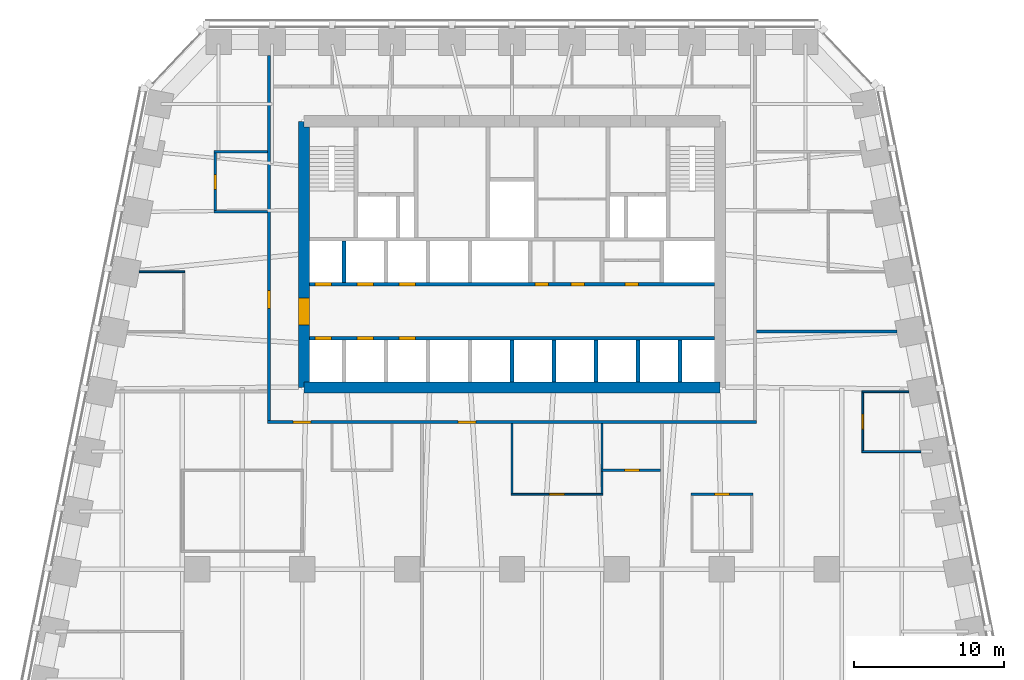
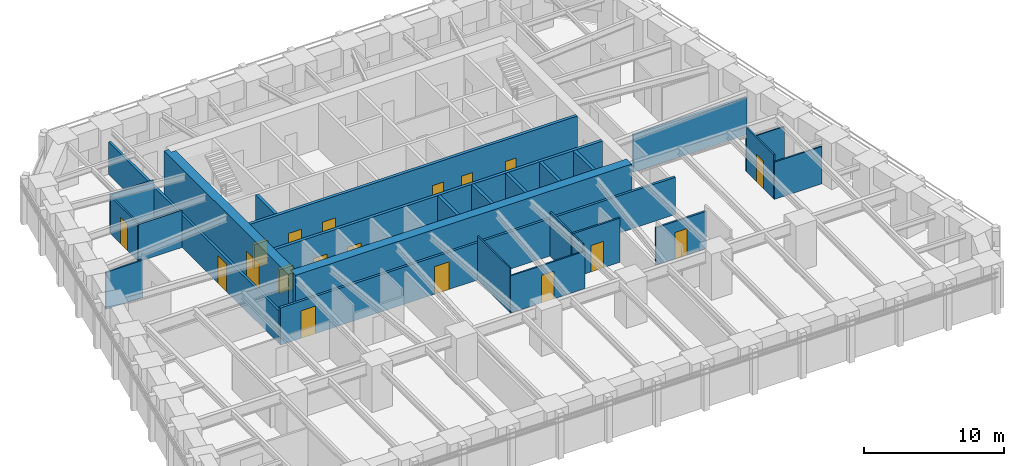
# One storey, part 6 of 10: 26 walls, 18 doors, 18 openings.
"""IFC4 building model written with IfcOpenShell, lengths in metres."""

import ifcopenshell
import ifcopenshell.guid

model = None  # the IFC model being written
_history = None  # IfcOwnerHistory: only IFC2X3 demands one
_inside = {}  # id of a spatial element -> (the spatial element, [elements in it])
_under = {}  # id of a project, library or spatial element -> (it, [spatial elements below it])
_declared = {}  # id of a project -> (the project, [libraries it declares])
_typed = {}  # id of a type object -> (the type object, [elements of that type])
_made_of = {}  # id of a material, layer set ... -> (it, [elements and type objects made of it])


def new_model(schema):
    """Start an empty IFC model of exactly this schema.

    Asked for "IFC4X3", IfcOpenShell would pick the latest addendum, in which some entities
    have other attributes; the version numbers below select the first issue.
    IFC2X3 requires an IfcOwnerHistory on every rooted entity: one is made here for all.
    """
    global model, _history
    if schema == "IFC4X3":
        model = ifcopenshell.file(schema_version=(4, 3, 0, 0))
    else:
        model = ifcopenshell.file(schema=schema)
    _inside.clear()
    _under.clear()
    _declared.clear()
    _typed.clear()
    _made_of.clear()
    _history = None
    if model.schema == "IFC2X3":
        org = make("IfcOrganization", Name="unknown")
        user = make(
            "IfcPersonAndOrganization",
            ThePerson=make("IfcPerson", FamilyName="unknown"),
            TheOrganization=org,
        )
        app = make(
            "IfcApplication",
            ApplicationDeveloper=org,
            Version="unknown",
            ApplicationFullName="unknown",
            ApplicationIdentifier="unknown",
        )
        _history = make(
            "IfcOwnerHistory",
            OwningUser=user,
            OwningApplication=app,
            ChangeAction="ADDED",
            CreationDate=0,
        )
    return model


def make(cls, **values):
    """One entity of the class cls with the attributes given. An attribute that is None is left unset."""
    return model.create_entity(
        cls, **{name: value for name, value in values.items() if value is not None}
    )


def rooted(cls, **values):
    """An entity with a GlobalId (a new one), such as an element, a storey or a relation."""
    return make(cls, GlobalId=ifcopenshell.guid.new(), OwnerHistory=_history, **values)


def si_unit(unit_type, name, prefix=None):
    """IfcSIUnit, for example si_unit("LENGTHUNIT", "METRE", prefix="MILLI")."""
    return make("IfcSIUnit", UnitType=unit_type, Prefix=prefix, Name=name)


def assignment(units):
    """IfcUnitAssignment: the units of a project."""
    return None if units is None else make("IfcUnitAssignment", Units=units)


def point(xyz):
    """IfcCartesianPoint."""
    return None if xyz is None else make("IfcCartesianPoint", Coordinates=xyz)


def direction(xyz):
    """IfcDirection."""
    return None if xyz is None else make("IfcDirection", DirectionRatios=xyz)


def frame(location, z_axis=None, x_axis=None):
    """IfcAxis2Placement3D, a coordinate frame: its origin and axes. An axis left out is left unset."""
    return make(
        "IfcAxis2Placement3D",
        Location=point(location),
        Axis=direction(z_axis),
        RefDirection=direction(x_axis),
    )


def frame_2d(location, x_axis=None):
    """IfcAxis2Placement2D, a coordinate frame in the plane: its origin and x axis."""
    return make(
        "IfcAxis2Placement2D", Location=point(location), RefDirection=direction(x_axis)
    )


def origin():
    """The frame at (0, 0, 0) with its axes left unset."""
    return frame((0.0, 0.0, 0.0))


def place(relative_to, where):
    """IfcLocalPlacement: puts the frame where relative to a parent placement (None: the world)."""
    return make(
        "IfcLocalPlacement", PlacementRelTo=relative_to, RelativePlacement=where
    )


def context(
    kind, dimensions, precision=None, world=None, true_north=None, identifier=None
):
    """IfcGeometricRepresentationContext, for example the 3D "Model" context."""
    return make(
        "IfcGeometricRepresentationContext",
        ContextIdentifier=identifier,
        ContextType=kind,
        CoordinateSpaceDimension=dimensions,
        Precision=precision,
        WorldCoordinateSystem=world,
        TrueNorth=true_north,
    )


def subcontext(parent, identifier, kind, view, scale=None):
    """IfcGeometricRepresentationSubContext, for example "Body" below "Model"."""
    return make(
        "IfcGeometricRepresentationSubContext",
        ContextIdentifier=identifier,
        ContextType=kind,
        ParentContext=parent,
        TargetScale=scale,
        TargetView=view,
    )


def project(units=None, contexts=None):
    """IfcProject with its units and contexts."""
    return rooted(
        "IfcProject",
        Name="project",
        RepresentationContexts=contexts,
        UnitsInContext=assignment(units),
    )


def spatial(cls, under=None, at=None, **own):
    """A site, building, storey or space (cls), placed at a placement, below another one or the project."""
    s = rooted(cls, ObjectPlacement=at, **own)
    if under is not None:
        _under.setdefault(under.id(), (under, []))[1].append(s)
    return s


def polyline(points):
    """IfcPolyline through the points."""
    return make("IfcPolyline", Points=[point(p) for p in points])


def profile(cls, at=None, kind="AREA", **sizes):
    """A parametric profile (cls). Its sizes go by their IFC names, for example OverallWidth=200.0."""
    return make(cls, ProfileType=kind, Position=at, **sizes)


def rectangle(**sizes):
    """IfcRectangleProfileDef."""
    return profile("IfcRectangleProfileDef", **sizes)


def outline(outer, holes=None, kind="AREA"):
    """IfcArbitraryClosedProfileDef: a profile drawn as a closed curve; with holes, ...WithVoids."""
    if holes is None:
        return make("IfcArbitraryClosedProfileDef", ProfileType=kind, OuterCurve=outer)
    return make(
        "IfcArbitraryProfileDefWithVoids",
        ProfileType=kind,
        OuterCurve=outer,
        InnerCurves=holes,
    )


def extrude(swept, where, along, depth):
    """IfcExtrudedAreaSolid: the profile swept, set in the frame where, extruded along a direction by depth."""
    return make(
        "IfcExtrudedAreaSolid",
        SweptArea=swept,
        Position=where,
        ExtrudedDirection=direction(along),
        Depth=depth,
    )


def shape(context_of_items, identifier, shape_type, items):
    """IfcShapeRepresentation: the items that make up one representation, for example the "Body"."""
    return make(
        "IfcShapeRepresentation",
        ContextOfItems=context_of_items,
        RepresentationIdentifier=identifier,
        RepresentationType=shape_type,
        Items=items,
    )


def material(Name=None, Category=None):
    """IfcMaterial."""
    return make("IfcMaterial", Name=Name, Category=Category)


def layer(
    of_material, thickness, ventilated=None, Name=None, Category=None, Priority=None
):
    """IfcMaterialLayer: one layer of a wall or slab, of a material (None: an air gap)."""
    return make(
        "IfcMaterialLayer",
        Material=of_material,
        LayerThickness=thickness,
        IsVentilated=ventilated,
        Name=Name,
        Category=Category,
        Priority=Priority,
    )


def layer_set(layers, Name=None):
    """IfcMaterialLayerSet."""
    return make("IfcMaterialLayerSet", MaterialLayers=layers, LayerSetName=Name)


def made_of(thing, what):
    """Note that an element or type object is made of a material, layer set ...; save() writes the relation."""
    if what is not None:
        _made_of.setdefault(what.id(), (what, []))[1].append(thing)
    return thing


def type_object(cls, material=None, **own):
    """A type object (cls), such as IfcWallType, which elements share."""
    return made_of(rooted(cls, **own), material)


def element(
    cls,
    number,
    at=None,
    inside=None,
    cuts=None,
    type_object=None,
    material=None,
    context=None,
    identifier="Body",
    shape_type=None,
    held_by="IfcProductDefinitionShape",
    body=None,
    shapes=None,
    **own,
):
    """One element of the class cls, such as IfcWall. Its Tag is "e" and its number.

    at: its placement. inside: the storey or other place that contains it. cuts: it is an
    opening in that element (IfcRelVoidsElement). A single representation is given by context,
    identifier, shape_type and body (its items); several are given by shapes. held_by: the class
    of the entity that holds the representations. save() writes the other relations.
    """
    e = rooted(cls, Tag="e%d" % number, ObjectPlacement=at, **own)
    if body is not None:
        shapes = [shape(context, identifier, shape_type, body)]
    if shapes is not None:
        e.Representation = make(held_by, Representations=shapes)
    if inside is not None:
        _inside.setdefault(inside.id(), (inside, []))[1].append(e)
    if cuts is not None:
        rooted(
            "IfcRelVoidsElement", RelatingBuildingElement=cuts, RelatedOpeningElement=e
        )
    if type_object is not None:
        _typed.setdefault(type_object.id(), (type_object, []))[1].append(e)
    return made_of(e, material)


def fill(opening, filler):
    """IfcRelFillsElement: the door or window that sits in an opening."""
    return rooted(
        "IfcRelFillsElement",
        RelatingOpeningElement=opening,
        RelatedBuildingElement=filler,
    )


def aggregate(whole, parts):
    """IfcRelAggregates: a whole, such as a stair, and the parts it consists of."""
    return rooted("IfcRelAggregates", RelatingObject=whole, RelatedObjects=parts)


def save(model, path):
    """Write the relations noted so far, then the file.

    IfcRelAggregates (storeys below a building ...), IfcRelContainedInSpatialStructure (elements
    in a storey), IfcRelDefinesByType, IfcRelAssociatesMaterial and IfcRelDeclares: one each for
    every whole, place, type object, material and project.
    """
    for whole, parts in _under.values():
        aggregate(whole, parts)
    for where, things in _inside.values():
        rooted(
            "IfcRelContainedInSpatialStructure",
            RelatedElements=things,
            RelatingStructure=where,
        )
    for kind, things in _typed.values():
        rooted("IfcRelDefinesByType", RelatedObjects=things, RelatingType=kind)
    for what, things in _made_of.values():
        rooted("IfcRelAssociatesMaterial", RelatedObjects=things, RelatingMaterial=what)
    for by, libraries in _declared.values():
        rooted("IfcRelDeclares", RelatingContext=by, RelatedDefinitions=libraries)
    model.write(path)


model = new_model("IFC4")

# Units and contexts
model_context = context("Model", 3, precision=1e-05, world=origin(), true_north=direction((0.0, 1.0)))
body_context = subcontext(model_context, "Body", "Model", "MODEL_VIEW")
ifc_project = project(units=[si_unit("LENGTHUNIT", "METRE"), si_unit("AREAUNIT", "SQUARE_METRE"), si_unit("VOLUMEUNIT", "CUBIC_METRE"), si_unit("PLANEANGLEUNIT", "RADIAN"), si_unit("MASSUNIT", "GRAM", prefix="KILO")], contexts=[model_context])

# Site, building, storey
site_placement = place(None, origin())
site = spatial("IfcSite", under=ifc_project, at=site_placement, CompositionType="ELEMENT")
building_placement = place(site_placement, origin())
building = spatial("IfcBuilding", under=site, at=building_placement, Name="Isbrekke Arena Tower", CompositionType="ELEMENT")
storey_placement = place(building_placement, frame((0.0, 0.0, 151.0)))
storey = spatial("IfcBuildingStorey", under=building, at=storey_placement, Name="L34", CompositionType="ELEMENT", Elevation=151.0)

# Wall
ifc_material_1 = material(Name="Concrete B55 (C55/67)", Category="concrete")
ifc_layer_1 = layer(ifc_material_1, 0.75)
ifc_layer_set_1 = layer_set([ifc_layer_1], Name="CW3 CORE WALL 750")
wall_type_1 = type_object("IfcWallType", Name="CW3 CORE WALL 750", PredefinedType="SHEAR", material=ifc_layer_set_1)
wall_1_placement = place(storey_placement, frame((-13.875, 6.125, 0.0), z_axis=(0.0, 0.0, 1.0), x_axis=(1.0, 0.0, 0.0)))
element("IfcWall", 1, at=wall_1_placement, inside=storey, type_object=wall_type_1, Name="Core wall S L34", PredefinedType="SHEAR", context=body_context, shape_type="SweptSolid", body=[
    extrude(rectangle(XDim=27.75, YDim=0.75, at=frame_2d((13.875, 0.0))), origin(), (0.0, 0.0, 1.0), 4.0),
])

# Wall, opening, door
wall_2_placement = place(storey_placement, frame((-13.875, 23.875, 0.0), z_axis=(0.0, 0.0, 1.0), x_axis=(0.0, -1.0, 0.0)))
wall_2 = element("IfcWall", 2, at=wall_2_placement, inside=storey, type_object=wall_type_1, Name="Core wall W L34", PredefinedType="SHEAR", context=body_context, shape_type="SweptSolid", body=[
    extrude(outline(polyline([(0.0, -0.375), (17.75, -0.375), (17.75, 0.0), (17.375, 0.0), (17.375, 0.375), (0.375, 0.375), (0.375, 0.0), (0.0, 0.0), (0.0, -0.375)])), origin(), (0.0, 0.0, 1.0), 4.0),
])
opening_1_placement = place(wall_2_placement, frame((11.77490234375, 0.0, 0.0)))
opening_1 = element("IfcOpeningElement", 3, at=opening_1_placement, cuts=wall_2, Name="Opening D1", PredefinedType="OPENING", context=body_context, shape_type="SweptSolid", body=[
    extrude(rectangle(XDim=1.800048828125, YDim=2.39990234375, at=frame_2d((0.89990234375, 1.199951171875))), frame((0.0, 0.389892578125, 0.0), z_axis=(0.0, -1.0, 0.0), x_axis=(1.0, 0.0, 0.0)), (0.0, 0.0, 1.0), 0.77978515625),
])
ifc_material_2 = material(Name="Steel-framed glazed fire door", Category="steel")
door_type_1 = type_object("IfcDoorType", Name="D1 CORE LOBBY DOOR 1800 x 2400", OperationType="DOUBLE_DOOR_SINGLE_SWING", PredefinedType="DOOR", material=ifc_material_2)
door_1_placement = place(opening_1_placement, origin())
door_1 = element("IfcDoor", 4, at=door_1_placement, inside=storey, type_object=door_type_1, Name="D1 lift lobby door west L34", OperationType="DOUBLE_DOOR_SINGLE_SWING", OverallHeight=2.39990234375, OverallWidth=1.800048828125, PredefinedType="DOOR", context=body_context, shape_type="SweptSolid", body=[
    extrude(rectangle(XDim=1.800048828125, YDim=2.39990234375, at=frame_2d((0.89990234375, 1.199951171875))), frame((0.0, 0.374755859375, 0.0), z_axis=(0.0, -1.0, 0.0), x_axis=(1.0, 0.0, 0.0)), (0.0, 0.0, 1.0), 0.74951171875),
])
fill(opening_1, door_1)

# Wall, openings, doors
ifc_material_3 = material(Name="Concrete B45 (C45/55)", Category="concrete")
ifc_layer_2 = layer(ifc_material_3, 0.25)
ifc_layer_set_2 = layer_set([ifc_layer_2], Name="CW6 SHAFT WALL 250")
wall_type_2 = type_object("IfcWallType", Name="CW6 SHAFT WALL 250", PredefinedType="SHEAR", material=ifc_layer_set_2)
wall_3_placement = place(storey_placement, frame((-13.5, 9.39990234375, 0.0), z_axis=(0.0, 0.0, 1.0), x_axis=(1.0, 0.0, 0.0)))
wall_3 = element("IfcWall", 5, at=wall_3_placement, inside=storey, type_object=wall_type_2, Name="Core wall LS L34", PredefinedType="SHEAR", context=body_context, shape_type="SweptSolid", body=[
    extrude(rectangle(XDim=27.0, YDim=0.25, at=frame_2d((13.5, 0.0))), origin(), (0.0, 0.0, 1.0), 4.0),
])
opening_2_placement = place(wall_3_placement, frame((0.35009765625, 0.0, 0.0)))
opening_2 = element("IfcOpeningElement", 6, at=opening_2_placement, cuts=wall_3, Name="Opening LD1", PredefinedType="OPENING", context=body_context, shape_type="SweptSolid", body=[
    extrude(rectangle(XDim=1.10009765625, YDim=2.10009765625, at=frame_2d((0.550048828125, 1.050048828125))), frame((0.0, 0.139892578125, 0.0), z_axis=(0.0, -1.0, 0.0), x_axis=(1.0, 0.0, 0.0)), (0.0, 0.0, 1.0), 0.27978515625),
])
opening_3_placement = place(wall_3_placement, frame((3.14990234375, 0.0, 0.0)))
opening_3 = element("IfcOpeningElement", 7, at=opening_3_placement, cuts=wall_3, Name="Opening LD1", PredefinedType="OPENING", context=body_context, shape_type="SweptSolid", body=[
    extrude(rectangle(XDim=1.10009765625, YDim=2.10009765625, at=frame_2d((0.550048828125, 1.050048828125))), frame((0.0, 0.139892578125, 0.0), z_axis=(0.0, -1.0, 0.0), x_axis=(1.0, 0.0, 0.0)), (0.0, 0.0, 1.0), 0.27978515625),
])
opening_4_placement = place(wall_3_placement, frame((5.949951171875, 0.0, 0.0)))
opening_4 = element("IfcOpeningElement", 8, at=opening_4_placement, cuts=wall_3, Name="Opening LD1", PredefinedType="OPENING", context=body_context, shape_type="SweptSolid", body=[
    extrude(rectangle(XDim=1.10009765625, YDim=2.10009765625, at=frame_2d((0.550048828125, 1.050048828125))), frame((0.0, 0.139892578125, 0.0), z_axis=(0.0, -1.0, 0.0), x_axis=(1.0, 0.0, 0.0)), (0.0, 0.0, 1.0), 0.27978515625),
])
ifc_material_4 = material(Name="Stainless steel lift landing door", Category="steel")
door_type_2 = type_object("IfcDoorType", Name="LD1 LIFT LANDING DOOR 1100 x 2100", OperationType="SLIDING_TO_LEFT", PredefinedType="DOOR", material=ifc_material_4)
door_2_placement = place(opening_2_placement, origin())
door_2 = element("IfcDoor", 9, at=door_2_placement, inside=storey, type_object=door_type_2, Name="LD1 lift landing door LB L34", OperationType="SLIDING_TO_LEFT", OverallHeight=2.10009765625, OverallWidth=1.10009765625, PredefinedType="DOOR", context=body_context, shape_type="SweptSolid", body=[
    extrude(rectangle(XDim=1.10009765625, YDim=2.10009765625, at=frame_2d((0.550048828125, 1.050048828125))), frame((0.0, 0.124755859375, 0.0), z_axis=(0.0, -1.0, 0.0), x_axis=(1.0, 0.0, 0.0)), (0.0, 0.0, 1.0), 0.24951171875),
])
fill(opening_2, door_2)
door_3_placement = place(opening_3_placement, origin())
door_3 = element("IfcDoor", 10, at=door_3_placement, inside=storey, type_object=door_type_2, Name="LD1 lift landing door LB L34", OperationType="SLIDING_TO_LEFT", OverallHeight=2.10009765625, OverallWidth=1.10009765625, PredefinedType="DOOR", context=body_context, shape_type="SweptSolid", body=[
    extrude(rectangle(XDim=1.10009765625, YDim=2.10009765625, at=frame_2d((0.550048828125, 1.050048828125))), frame((0.0, 0.124755859375, 0.0), z_axis=(0.0, -1.0, 0.0), x_axis=(1.0, 0.0, 0.0)), (0.0, 0.0, 1.0), 0.24951171875),
])
fill(opening_3, door_3)
door_4_placement = place(opening_4_placement, origin())
door_4 = element("IfcDoor", 11, at=door_4_placement, inside=storey, type_object=door_type_2, Name="LD1 lift landing door LB L34", OperationType="SLIDING_TO_LEFT", OverallHeight=2.10009765625, OverallWidth=1.10009765625, PredefinedType="DOOR", context=body_context, shape_type="SweptSolid", body=[
    extrude(rectangle(XDim=1.10009765625, YDim=2.10009765625, at=frame_2d((0.550048828125, 1.050048828125))), frame((0.0, 0.124755859375, 0.0), z_axis=(0.0, -1.0, 0.0), x_axis=(1.0, 0.0, 0.0)), (0.0, 0.0, 1.0), 0.24951171875),
])
fill(opening_4, door_4)

wall_4_placement = place(storey_placement, frame((-13.5, 13.0, 0.0), z_axis=(0.0, 0.0, 1.0), x_axis=(1.0, 0.0, 0.0)))
wall_4 = element("IfcWall", 12, at=wall_4_placement, inside=storey, type_object=wall_type_2, Name="Core wall LN L34", PredefinedType="SHEAR", context=body_context, shape_type="SweptSolid", body=[
    extrude(rectangle(XDim=27.0, YDim=0.25, at=frame_2d((13.5, 0.0))), origin(), (0.0, 0.0, 1.0), 4.0),
])
opening_5_placement = place(wall_4_placement, frame((0.35009765625, 0.0, 0.0)))
opening_5 = element("IfcOpeningElement", 13, at=opening_5_placement, cuts=wall_4, Name="Opening LD1", PredefinedType="OPENING", context=body_context, shape_type="SweptSolid", body=[
    extrude(rectangle(XDim=1.10009765625, YDim=2.10009765625, at=frame_2d((0.550048828125, 1.050048828125))), frame((0.0, 0.139892578125, 0.0), z_axis=(0.0, -1.0, 0.0), x_axis=(1.0, 0.0, 0.0)), (0.0, 0.0, 1.0), 0.27978515625),
])
opening_6_placement = place(wall_4_placement, frame((3.14990234375, 0.0, 0.0)))
opening_6 = element("IfcOpeningElement", 14, at=opening_6_placement, cuts=wall_4, Name="Opening LD1", PredefinedType="OPENING", context=body_context, shape_type="SweptSolid", body=[
    extrude(rectangle(XDim=1.10009765625, YDim=2.10009765625, at=frame_2d((0.550048828125, 1.050048828125))), frame((0.0, 0.139892578125, 0.0), z_axis=(0.0, -1.0, 0.0), x_axis=(1.0, 0.0, 0.0)), (0.0, 0.0, 1.0), 0.27978515625),
])
opening_7_placement = place(wall_4_placement, frame((5.949951171875, 0.0, 0.0)))
opening_7 = element("IfcOpeningElement", 15, at=opening_7_placement, cuts=wall_4, Name="Opening LD1", PredefinedType="OPENING", context=body_context, shape_type="SweptSolid", body=[
    extrude(rectangle(XDim=1.10009765625, YDim=2.10009765625, at=frame_2d((0.550048828125, 1.050048828125))), frame((0.0, 0.139892578125, 0.0), z_axis=(0.0, -1.0, 0.0), x_axis=(1.0, 0.0, 0.0)), (0.0, 0.0, 1.0), 0.27978515625),
])
opening_8_placement = place(wall_4_placement, frame((15.050048828125, 0.0, 0.0)))
opening_8 = element("IfcOpeningElement", 16, at=opening_8_placement, cuts=wall_4, Name="Opening D5", PredefinedType="OPENING", context=body_context, shape_type="SweptSolid", body=[
    extrude(rectangle(XDim=0.89990234375, YDim=2.10009765625, at=frame_2d((0.449951171875, 1.050048828125))), frame((0.0, 0.139892578125, 0.0), z_axis=(0.0, -1.0, 0.0), x_axis=(1.0, 0.0, 0.0)), (0.0, 0.0, 1.0), 0.27978515625),
])
opening_9_placement = place(wall_4_placement, frame((17.449951171875, 0.0, 0.0)))
opening_9 = element("IfcOpeningElement", 17, at=opening_9_placement, cuts=wall_4, Name="Opening D5", PredefinedType="OPENING", context=body_context, shape_type="SweptSolid", body=[
    extrude(rectangle(XDim=0.89990234375, YDim=2.10009765625, at=frame_2d((0.449951171875, 1.050048828125))), frame((0.0, 0.139892578125, 0.0), z_axis=(0.0, -1.0, 0.0), x_axis=(1.0, 0.0, 0.0)), (0.0, 0.0, 1.0), 0.27978515625),
])
opening_10_placement = place(wall_4_placement, frame((21.050048828125, 0.0, 0.0)))
opening_10 = element("IfcOpeningElement", 18, at=opening_10_placement, cuts=wall_4, Name="Opening D5", PredefinedType="OPENING", context=body_context, shape_type="SweptSolid", body=[
    extrude(rectangle(XDim=0.89990234375, YDim=2.10009765625, at=frame_2d((0.449951171875, 1.050048828125))), frame((0.0, 0.139892578125, 0.0), z_axis=(0.0, -1.0, 0.0), x_axis=(1.0, 0.0, 0.0)), (0.0, 0.0, 1.0), 0.27978515625),
])
ifc_material_5 = material(Name="Steel fire door", Category="steel")
door_type_3 = type_object("IfcDoorType", Name="D5 SERVICE DOOR 900 x 2100", OperationType="SINGLE_SWING_LEFT", PredefinedType="DOOR", material=ifc_material_5)
door_5_placement = place(opening_8_placement, origin())
door_5 = element("IfcDoor", 19, at=door_5_placement, inside=storey, type_object=door_type_3, Name="D5 cleaner's store door L34", OperationType="SINGLE_SWING_LEFT", OverallHeight=2.10009765625, OverallWidth=0.89990234375, PredefinedType="DOOR", context=body_context, shape_type="SweptSolid", body=[
    extrude(rectangle(XDim=0.89990234375, YDim=2.10009765625, at=frame_2d((0.449951171875, 1.050048828125))), frame((0.0, 0.124755859375, 0.0), z_axis=(0.0, -1.0, 0.0), x_axis=(1.0, 0.0, 0.0)), (0.0, 0.0, 1.0), 0.24951171875),
])
fill(opening_8, door_5)
door_6_placement = place(opening_9_placement, origin())
door_6 = element("IfcDoor", 20, at=door_6_placement, inside=storey, type_object=door_type_3, Name="D5 mothers' room door L34", OperationType="SINGLE_SWING_LEFT", OverallHeight=2.10009765625, OverallWidth=0.89990234375, PredefinedType="DOOR", context=body_context, shape_type="SweptSolid", body=[
    extrude(rectangle(XDim=0.89990234375, YDim=2.10009765625, at=frame_2d((0.449951171875, 1.050048828125))), frame((0.0, 0.124755859375, 0.0), z_axis=(0.0, -1.0, 0.0), x_axis=(1.0, 0.0, 0.0)), (0.0, 0.0, 1.0), 0.24951171875),
])
fill(opening_9, door_6)
door_7_placement = place(opening_10_placement, origin())
door_7 = element("IfcDoor", 21, at=door_7_placement, inside=storey, type_object=door_type_3, Name="D5 communications room door L34", OperationType="SINGLE_SWING_LEFT", OverallHeight=2.10009765625, OverallWidth=0.89990234375, PredefinedType="DOOR", context=body_context, shape_type="SweptSolid", body=[
    extrude(rectangle(XDim=0.89990234375, YDim=2.10009765625, at=frame_2d((0.449951171875, 1.050048828125))), frame((0.0, 0.124755859375, 0.0), z_axis=(0.0, -1.0, 0.0), x_axis=(1.0, 0.0, 0.0)), (0.0, 0.0, 1.0), 0.24951171875),
])
fill(opening_10, door_7)
door_8_placement = place(opening_5_placement, origin())
door_8 = element("IfcDoor", 22, at=door_8_placement, inside=storey, type_object=door_type_2, Name="LD1 lift landing door LB L34", OperationType="SLIDING_TO_LEFT", OverallHeight=2.10009765625, OverallWidth=1.10009765625, PredefinedType="DOOR", context=body_context, shape_type="SweptSolid", body=[
    extrude(rectangle(XDim=1.10009765625, YDim=2.10009765625, at=frame_2d((0.550048828125, 1.050048828125))), frame((0.0, 0.124755859375, 0.0), z_axis=(0.0, -1.0, 0.0), x_axis=(1.0, 0.0, 0.0)), (0.0, 0.0, 1.0), 0.24951171875),
])
fill(opening_5, door_8)
door_9_placement = place(opening_6_placement, origin())
door_9 = element("IfcDoor", 23, at=door_9_placement, inside=storey, type_object=door_type_2, Name="LD1 lift landing door LB L34", OperationType="SLIDING_TO_LEFT", OverallHeight=2.10009765625, OverallWidth=1.10009765625, PredefinedType="DOOR", context=body_context, shape_type="SweptSolid", body=[
    extrude(rectangle(XDim=1.10009765625, YDim=2.10009765625, at=frame_2d((0.550048828125, 1.050048828125))), frame((0.0, 0.124755859375, 0.0), z_axis=(0.0, -1.0, 0.0), x_axis=(1.0, 0.0, 0.0)), (0.0, 0.0, 1.0), 0.24951171875),
])
fill(opening_6, door_9)
door_10_placement = place(opening_7_placement, origin())
door_10 = element("IfcDoor", 24, at=door_10_placement, inside=storey, type_object=door_type_2, Name="LD1 lift landing door LB L34", OperationType="SLIDING_TO_LEFT", OverallHeight=2.10009765625, OverallWidth=1.10009765625, PredefinedType="DOOR", context=body_context, shape_type="SweptSolid", body=[
    extrude(rectangle(XDim=1.10009765625, YDim=2.10009765625, at=frame_2d((0.550048828125, 1.050048828125))), frame((0.0, 0.124755859375, 0.0), z_axis=(0.0, -1.0, 0.0), x_axis=(1.0, 0.0, 0.0)), (0.0, 0.0, 1.0), 0.24951171875),
])
fill(opening_7, door_10)

# Walls
for number, where, z_axis, x_axis, name in (
    (25, (0.0, 6.5, 0.0), (0.0, 0.0, 1.0), (0.0, 1.0, 0.0), "Core wall SS05 L34"),
    (26, (2.800048828125, 6.5, 0.0), (0.0, 0.0, 1.0), (0.0, 1.0, 0.0), "Core wall SS06 L34"),
    (27, (5.60009765625, 6.5, 0.0), (0.0, 0.0, 1.0), (0.0, 1.0, 0.0), "Core wall SS07 L34"),
    (28, (8.39990234375, 6.5, 0.0), (0.0, 0.0, 1.0), (0.0, 1.0, 0.0), "Core wall SS08 L34"),
    (29, (11.199951171875, 6.5, 0.0), (0.0, 0.0, 1.0), (0.0, 1.0, 0.0), "Core wall SS09 L34"),
):
    element("IfcWall", number, at=place(storey_placement, frame(where, z_axis=z_axis, x_axis=x_axis)), inside=storey, type_object=wall_type_2, Name=name, PredefinedType="SHEAR", context=body_context, shape_type="SweptSolid", body=[
        extrude(rectangle(XDim=2.77490234375, YDim=0.25, at=frame_2d((1.387451171875, 0.0))), origin(), (0.0, 0.0, 1.0), 4.0),
    ])
wall_5_placement = place(storey_placement, frame((-11.199951171875, 13.125, 0.0), z_axis=(0.0, 0.0, 1.0), x_axis=(0.0, 1.0, 0.0)))
element("IfcWall", 30, at=wall_5_placement, inside=storey, type_object=wall_type_2, Name="Core wall SN01 L34", PredefinedType="SHEAR", context=body_context, shape_type="SweptSolid", body=[
    extrude(rectangle(XDim=2.75, YDim=0.25, at=frame_2d((1.375, 0.0))), origin(), (0.0, 0.0, 1.0), 4.0),
])

# Wall, opening, door
ifc_material_6 = material(Name="Gypsum board partition on steel studs", Category="steel")
ifc_layer_3 = layer(ifc_material_6, 0.14990234375)
ifc_layer_set_3 = layer_set([ifc_layer_3], Name="IW1 PARTITION 150")
wall_type_3 = type_object("IfcWallType", Name="IW1 PARTITION 150", PredefinedType="PARTITIONING", material=ifc_layer_set_3)
wall_6_placement = place(storey_placement, frame((11.925048828125, -1.0, 0.0), z_axis=(0.0, 0.0, 1.0), x_axis=(1.0, 0.0, 0.0)))
wall_6 = element("IfcWall", 31, at=wall_6_placement, inside=storey, type_object=wall_type_3, Name="IW1 partition 150 L34", PredefinedType="PARTITIONING", context=body_context, shape_type="SweptSolid", body=[
    extrude(rectangle(XDim=4.14990234375, YDim=0.14990234375, at=frame_2d((2.074951171875, 0.0))), origin(), (0.0, 0.0, 1.0), 3.25),
])
opening_11_placement = place(wall_6_placement, frame((1.574951171875, 0.0, 0.0)))
opening_11 = element("IfcOpeningElement", 32, at=opening_11_placement, cuts=wall_6, Name="Opening D10", PredefinedType="OPENING", context=body_context, shape_type="SweptSolid", body=[
    extrude(rectangle(XDim=1.0, YDim=2.300048828125, at=frame_2d((0.5, 1.14990234375))), frame((0.0, 0.08984375, 0.0), z_axis=(0.0, -1.0, 0.0), x_axis=(1.0, 0.0, 0.0)), (0.0, 0.0, 1.0), 0.1796875),
])
ifc_material_7 = material(Name="Timber door", Category="wood")
door_type_4 = type_object("IfcDoorType", Name="D10 OFFICE DOOR 1000 x 2300", OperationType="SINGLE_SWING_LEFT", PredefinedType="DOOR", material=ifc_material_7)
door_11_placement = place(opening_11_placement, origin())
door_11 = element("IfcDoor", 33, at=door_11_placement, inside=storey, type_object=door_type_4, Name="D10 tea point door L34", OperationType="SINGLE_SWING_LEFT", OverallHeight=2.300048828125, OverallWidth=1.0, PredefinedType="DOOR", context=body_context, shape_type="SweptSolid", body=[
    extrude(rectangle(XDim=1.0, YDim=2.300048828125, at=frame_2d((0.5, 1.14990234375))), frame((0.0, 0.07470703125, 0.0), z_axis=(0.0, -1.0, 0.0), x_axis=(1.0, 0.0, 0.0)), (0.0, 0.0, 1.0), 0.1494140625),
])
fill(opening_11, door_11)

wall_7_placement = place(storey_placement, frame((5.925048828125, 0.60009765625, 0.0), z_axis=(0.0, 0.0, 1.0), x_axis=(1.0, 0.0, 0.0)))
wall_7 = element("IfcWall", 34, at=wall_7_placement, inside=storey, type_object=wall_type_3, Name="IW1 partition 150 L34", PredefinedType="PARTITIONING", context=body_context, shape_type="SweptSolid", body=[
    extrude(rectangle(XDim=3.974853515625, YDim=0.14990234375, at=frame_2d((1.9873046875, 0.0))), origin(), (0.0, 0.0, 1.0), 3.85009765625),
])
opening_12_placement = place(wall_7_placement, frame((1.574951171875, 0.0, 0.0)))
opening_12 = element("IfcOpeningElement", 35, at=opening_12_placement, cuts=wall_7, Name="Opening D10", PredefinedType="OPENING", context=body_context, shape_type="SweptSolid", body=[
    extrude(rectangle(XDim=1.0, YDim=2.300048828125, at=frame_2d((0.5, 1.14990234375))), frame((0.0, 0.08984375, 0.0), z_axis=(0.0, -1.0, 0.0), x_axis=(1.0, 0.0, 0.0)), (0.0, 0.0, 1.0), 0.1796875),
])
door_12_placement = place(opening_12_placement, origin())
door_12 = element("IfcDoor", 36, at=door_12_placement, inside=storey, type_object=door_type_4, Name="D10 tea point door L34", OperationType="SINGLE_SWING_LEFT", OverallHeight=2.300048828125, OverallWidth=1.0, PredefinedType="DOOR", context=body_context, shape_type="SweptSolid", body=[
    extrude(rectangle(XDim=1.0, YDim=2.300048828125, at=frame_2d((0.5, 1.14990234375))), frame((0.0, 0.07470703125, 0.0), z_axis=(0.0, -1.0, 0.0), x_axis=(1.0, 0.0, 0.0)), (0.0, 0.0, 1.0), 0.1494140625),
])
fill(opening_12, door_12)

# Walls
wall_8_placement = place(storey_placement, frame((-19.875, 17.840087890625, 0.0), z_axis=(0.0, 0.0, 1.0), x_axis=(1.0, 0.0, 0.0)))
element("IfcWall", 37, at=wall_8_placement, inside=storey, type_object=wall_type_3, Name="IW1 partition 150 L34", PredefinedType="PARTITIONING", context=body_context, shape_type="SweptSolid", body=[
    extrude(rectangle(XDim=3.574951171875, YDim=0.14990234375, at=frame_2d((1.78759765625, 0.0))), origin(), (0.0, 0.0, 1.0), 3.25),
])
wall_9_placement = place(storey_placement, frame((-19.875, 21.840087890625, 0.0), z_axis=(0.0, 0.0, 1.0), x_axis=(1.0, 0.0, 0.0)))
element("IfcWall", 38, at=wall_9_placement, inside=storey, type_object=wall_type_3, Name="IW1 partition 150 L34", PredefinedType="PARTITIONING", context=body_context, shape_type="SweptSolid", body=[
    extrude(rectangle(XDim=3.574951171875, YDim=0.14990234375, at=frame_2d((1.78759765625, 0.0))), origin(), (0.0, 0.0, 1.0), 3.39990234375),
])

# Wall, opening, door
wall_10_placement = place(storey_placement, frame((-19.800048828125, 17.9150390625, 0.0), z_axis=(0.0, 0.0, 1.0), x_axis=(0.0, 1.0, 0.0)))
wall_10 = element("IfcWall", 39, at=wall_10_placement, inside=storey, type_object=wall_type_3, Name="IW1 partition 150 L34", PredefinedType="PARTITIONING", context=body_context, shape_type="SweptSolid", body=[
    extrude(rectangle(XDim=3.849853515625, YDim=0.14990234375, at=frame_2d((1.9248046875, 0.0))), origin(), (0.0, 0.0, 1.0), 3.25),
])
opening_13_placement = place(wall_10_placement, frame((1.425048828125, 0.0, 0.0)))
opening_13 = element("IfcOpeningElement", 40, at=opening_13_placement, cuts=wall_10, Name="Opening D10", PredefinedType="OPENING", context=body_context, shape_type="SweptSolid", body=[
    extrude(rectangle(XDim=1.0, YDim=2.300048828125, at=frame_2d((0.5, 1.14990234375))), frame((0.0, 0.08984375, 0.0), z_axis=(0.0, -1.0, 0.0), x_axis=(1.0, 0.0, 0.0)), (0.0, 0.0, 1.0), 0.1796875),
])
door_13_placement = place(opening_13_placement, origin())
door_13 = element("IfcDoor", 41, at=door_13_placement, inside=storey, type_object=door_type_4, Name="D10 tea point door L34", OperationType="SINGLE_SWING_LEFT", OverallHeight=2.300048828125, OverallWidth=1.0, PredefinedType="DOOR", context=body_context, shape_type="SweptSolid", body=[
    extrude(rectangle(XDim=1.0, YDim=2.300048828125, at=frame_2d((0.5, 1.14990234375))), frame((0.0, 0.07470703125, 0.0), z_axis=(0.0, -1.0, 0.0), x_axis=(1.0, 0.0, 0.0)), (0.0, 0.0, 1.0), 0.1494140625),
])
fill(opening_13, door_13)

# Wall
wall_11_placement = place(storey_placement, frame((6.0, 0.675048828125, 0.0), z_axis=(0.0, 0.0, 1.0), x_axis=(0.0, 1.0, 0.0)))
element("IfcWall", 42, at=wall_11_placement, inside=storey, type_object=wall_type_3, Name="IW1 partition 150 L34", PredefinedType="PARTITIONING", context=body_context, shape_type="SweptSolid", body=[
    extrude(rectangle(XDim=3.02490234375, YDim=0.14990234375, at=frame_2d((1.512451171875, 0.0))), origin(), (0.0, 0.0, 1.0), 3.85009765625),
])

# Wall, opening, door
ifc_material_8 = material(Name="Frameless glazed partition, laminated acoustic glass", Category="glass")
ifc_layer_4 = layer(ifc_material_8, 0.1201171875)
ifc_layer_set_4 = layer_set([ifc_layer_4], Name="IW2 GLAZED PARTITION 120")
wall_type_4 = type_object("IfcWallType", Name="IW2 GLAZED PARTITION 120", PredefinedType="PARTITIONING", material=ifc_layer_set_4)
wall_12_placement = place(storey_placement, frame((-0.06005859375, -1.0, 0.0), z_axis=(0.0, 0.0, 1.0), x_axis=(1.0, 0.0, 0.0)))
wall_12 = element("IfcWall", 43, at=wall_12_placement, inside=storey, type_object=wall_type_4, Name="IW2 glazed partition 120 L34", PredefinedType="PARTITIONING", context=body_context, shape_type="SweptSolid", body=[
    extrude(rectangle(XDim=6.1201171875, YDim=0.1201171875, at=frame_2d((3.06005859375, 0.0))), origin(), (0.0, 0.0, 1.0), 3.25),
])
opening_14_placement = place(wall_12_placement, frame((2.56005859375, 0.0, 0.0)))
opening_14 = element("IfcOpeningElement", 44, at=opening_14_placement, cuts=wall_12, Name="Opening D11", PredefinedType="OPENING", context=body_context, shape_type="SweptSolid", body=[
    extrude(rectangle(XDim=1.0, YDim=2.39990234375, at=frame_2d((0.5, 1.199951171875))), frame((0.0, 0.074951171875, 0.0), z_axis=(0.0, -1.0, 0.0), x_axis=(1.0, 0.0, 0.0)), (0.0, 0.0, 1.0), 0.14990234375),
])
ifc_material_9 = material(Name="Frameless glazed door", Category="glass")
door_type_5 = type_object("IfcDoorType", Name="D11 GLAZED MEETING ROOM DOOR 1000 x 2400", OperationType="SINGLE_SWING_RIGHT", PredefinedType="DOOR", material=ifc_material_9)
door_14_placement = place(opening_14_placement, origin())
door_14 = element("IfcDoor", 45, at=door_14_placement, inside=storey, type_object=door_type_5, Name="D11 meeting room door L34", OperationType="SINGLE_SWING_RIGHT", OverallHeight=2.39990234375, OverallWidth=1.0, PredefinedType="DOOR", context=body_context, shape_type="SweptSolid", body=[
    extrude(rectangle(XDim=1.0, YDim=2.39990234375, at=frame_2d((0.5, 1.199951171875))), frame((0.0, 0.059814453125, 0.0), z_axis=(0.0, -1.0, 0.0), x_axis=(1.0, 0.0, 0.0)), (0.0, 0.0, 1.0), 0.11962890625),
])
fill(opening_14, door_14)

# Walls
wall_13_placement = place(storey_placement, frame((23.340087890625, 1.840087890625, 0.0), z_axis=(0.0, 0.0, 1.0), x_axis=(1.0, 0.0, 0.0)))
element("IfcWall", 46, at=wall_13_placement, inside=storey, type_object=wall_type_4, Name="IW2 glazed partition 120 L34", PredefinedType="PARTITIONING", context=body_context, shape_type="SweptSolid", body=[
    extrude(rectangle(XDim=3.9326171875, YDim=0.1201171875, at=frame_2d((1.96630859375, 0.0))), origin(), (0.0, 0.0, 1.0), 3.25),
])
wall_14_placement = place(storey_placement, frame((23.340087890625, 5.840087890625, 0.0), z_axis=(0.0, 0.0, 1.0), x_axis=(1.0, 0.0, 0.0)))
element("IfcWall", 47, at=wall_14_placement, inside=storey, type_object=wall_type_4, Name="IW2 glazed partition 120 L34", PredefinedType="PARTITIONING", context=body_context, shape_type="SweptSolid", body=[
    extrude(rectangle(XDim=3.1328125, YDim=0.1201171875, at=frame_2d((1.56640625, 0.0))), origin(), (0.0, 0.0, 1.0), 2.842041015625),
])
wall_15_placement = place(storey_placement, frame((-24.872802734375, 13.840087890625, 0.0), z_axis=(0.0, 0.0, 1.0), x_axis=(1.0, 0.0, 0.0)))
element("IfcWall", 48, at=wall_15_placement, inside=storey, type_object=wall_type_4, Name="IW2 glazed partition 120 L34", PredefinedType="PARTITIONING", context=body_context, shape_type="SweptSolid", body=[
    extrude(rectangle(XDim=3.03271484375, YDim=0.1201171875, at=frame_2d((1.516357421875, 0.0))), origin(), (0.0, 0.0, 1.0), 3.25),
])
wall_16_placement = place(storey_placement, frame((0.0, -0.93994140625, 0.0), z_axis=(0.0, 0.0, 1.0), x_axis=(0.0, 1.0, 0.0)))
element("IfcWall", 49, at=wall_16_placement, inside=storey, type_object=wall_type_4, Name="IW2 glazed partition 120 L34", PredefinedType="PARTITIONING", context=body_context, shape_type="SweptSolid", body=[
    extrude(rectangle(XDim=4.639892578125, YDim=0.1201171875, at=frame_2d((2.31982421875, 0.0))), origin(), (0.0, 0.0, 1.0), 3.85009765625),
])
wall_17_placement = place(storey_placement, frame((6.0, -0.93994140625, 0.0), z_axis=(0.0, 0.0, 1.0), x_axis=(0.0, 1.0, 0.0)))
element("IfcWall", 50, at=wall_17_placement, inside=storey, type_object=wall_type_4, Name="IW2 glazed partition 120 L34", PredefinedType="PARTITIONING", context=body_context, shape_type="SweptSolid", body=[
    extrude(rectangle(XDim=1.46484375, YDim=0.1201171875, at=frame_2d((0.732421875, 0.0))), origin(), (0.0, 0.0, 1.0), 3.85009765625),
])

# Wall, opening, door
wall_18_placement = place(storey_placement, frame((23.39990234375, 1.89990234375, 0.0), z_axis=(0.0, 0.0, 1.0), x_axis=(0.0, 1.0, 0.0)))
wall_18 = element("IfcWall", 51, at=wall_18_placement, inside=storey, type_object=wall_type_4, Name="IW2 glazed partition 120 L34", PredefinedType="PARTITIONING", context=body_context, shape_type="SweptSolid", body=[
    extrude(rectangle(XDim=3.880126953125, YDim=0.1201171875, at=frame_2d((1.93994140625, 0.0))), origin(), (0.0, 0.0, 1.0), 3.85009765625),
])
opening_15_placement = place(wall_18_placement, frame((1.43994140625, 0.0, 0.0)))
opening_15 = element("IfcOpeningElement", 52, at=opening_15_placement, cuts=wall_18, Name="Opening D11", PredefinedType="OPENING", context=body_context, shape_type="SweptSolid", body=[
    extrude(rectangle(XDim=1.0, YDim=2.39990234375, at=frame_2d((0.5, 1.199951171875))), frame((0.0, 0.074951171875, 0.0), z_axis=(0.0, -1.0, 0.0), x_axis=(1.0, 0.0, 0.0)), (0.0, 0.0, 1.0), 0.14990234375),
])
door_15_placement = place(opening_15_placement, origin())
door_15 = element("IfcDoor", 53, at=door_15_placement, inside=storey, type_object=door_type_5, Name="D11 meeting room door L34", OperationType="SINGLE_SWING_RIGHT", OverallHeight=2.39990234375, OverallWidth=1.0, PredefinedType="DOOR", context=body_context, shape_type="SweptSolid", body=[
    extrude(rectangle(XDim=1.0, YDim=2.39990234375, at=frame_2d((0.5, 1.199951171875))), frame((0.0, 0.059814453125, 0.0), z_axis=(0.0, -1.0, 0.0), x_axis=(1.0, 0.0, 0.0)), (0.0, 0.0, 1.0), 0.11962890625),
])
fill(opening_15, door_15)

# Wall, openings, doors
ifc_material_10 = material(Name="Gypsum board fire-cell wall on steel studs, two layers each side", Category="steel")
ifc_layer_5 = layer(ifc_material_10, 0.199951171875)
ifc_layer_set_5 = layer_set([ifc_layer_5], Name="IW3 FIRE-CELL WALL 200")
wall_type_5 = type_object("IfcWallType", Name="IW3 FIRE-CELL WALL 200", PredefinedType="PARTITIONING", material=ifc_layer_set_5)
wall_19_placement = place(storey_placement, frame((-16.300048828125, 3.800048828125, 0.0), z_axis=(0.0, 0.0, 1.0), x_axis=(1.0, 0.0, 0.0)))
wall_19 = element("IfcWall", 54, at=wall_19_placement, inside=storey, type_object=wall_type_5, Name="IW3 fire-cell wall 200 L34", PredefinedType="PARTITIONING", context=body_context, shape_type="SweptSolid", body=[
    extrude(rectangle(XDim=32.60009765625, YDim=0.199951171875, at=frame_2d((16.300048828125, 0.0))), origin(), (0.0, 0.0, 1.0), 3.25),
])
opening_16_placement = place(wall_19_placement, frame((1.699951171875, 0.0, 0.0)))
opening_16 = element("IfcOpeningElement", 55, at=opening_16_placement, cuts=wall_19, Name="Opening D12", PredefinedType="OPENING", context=body_context, shape_type="SweptSolid", body=[
    extrude(rectangle(XDim=1.199951171875, YDim=2.39990234375, at=frame_2d((0.60009765625, 1.199951171875))), frame((0.0, 0.11474609375, 0.0), z_axis=(0.0, -1.0, 0.0), x_axis=(1.0, 0.0, 0.0)), (0.0, 0.0, 1.0), 0.229736328125),
])
opening_17_placement = place(wall_19_placement, frame((12.699951171875, 0.0, 0.0)))
opening_17 = element("IfcOpeningElement", 56, at=opening_17_placement, cuts=wall_19, Name="Opening D12", PredefinedType="OPENING", context=body_context, shape_type="SweptSolid", body=[
    extrude(rectangle(XDim=1.199951171875, YDim=2.39990234375, at=frame_2d((0.60009765625, 1.199951171875))), frame((0.0, 0.11474609375, 0.0), z_axis=(0.0, -1.0, 0.0), x_axis=(1.0, 0.0, 0.0)), (0.0, 0.0, 1.0), 0.229736328125),
])
ifc_material_11 = material(Name="Timber fire door with vision panel", Category="wood")
door_type_6 = type_object("IfcDoorType", Name="D12 SUITE ENTRANCE DOOR 1200 x 2400", OperationType="SINGLE_SWING_LEFT", PredefinedType="DOOR", material=ifc_material_11)
door_16_placement = place(opening_16_placement, origin())
door_16 = element("IfcDoor", 57, at=door_16_placement, inside=storey, type_object=door_type_6, Name="D12 suite entrance SW door L34", OperationType="SINGLE_SWING_LEFT", OverallHeight=2.39990234375, OverallWidth=1.199951171875, PredefinedType="DOOR", context=body_context, shape_type="SweptSolid", body=[
    extrude(rectangle(XDim=1.199951171875, YDim=2.39990234375, at=frame_2d((0.60009765625, 1.199951171875))), frame((0.0, 0.099609375, 0.0), z_axis=(0.0, -1.0, 0.0), x_axis=(1.0, 0.0, 0.0)), (0.0, 0.0, 1.0), 0.199462890625),
])
fill(opening_16, door_16)
door_17_placement = place(opening_17_placement, origin())
door_17 = element("IfcDoor", 58, at=door_17_placement, inside=storey, type_object=door_type_6, Name="D12 suite entrance S door L34", OperationType="SINGLE_SWING_LEFT", OverallHeight=2.39990234375, OverallWidth=1.199951171875, PredefinedType="DOOR", context=body_context, shape_type="SweptSolid", body=[
    extrude(rectangle(XDim=1.199951171875, YDim=2.39990234375, at=frame_2d((0.60009765625, 1.199951171875))), frame((0.0, 0.099609375, 0.0), z_axis=(0.0, -1.0, 0.0), x_axis=(1.0, 0.0, 0.0)), (0.0, 0.0, 1.0), 0.199462890625),
])
fill(opening_17, door_17)

# Wall
wall_20_placement = place(storey_placement, frame((16.300048828125, 9.840087890625, 0.0), z_axis=(0.0, 0.0, 1.0), x_axis=(1.0, 0.0, 0.0)))
element("IfcWall", 59, at=wall_20_placement, inside=storey, type_object=wall_type_5, Name="IW3 fire-cell wall 200 L34", PredefinedType="PARTITIONING", context=body_context, shape_type="SweptSolid", body=[
    extrude(rectangle(XDim=9.372802734375, YDim=0.199951171875, at=frame_2d((4.6865234375, 0.0))), origin(), (0.0, 0.0, 1.0), 3.25),
])

# Wall, opening, door
wall_21_placement = place(storey_placement, frame((-16.199951171875, 3.89990234375, 0.0), z_axis=(0.0, 0.0, 1.0), x_axis=(0.0, 1.0, 0.0)))
wall_21 = element("IfcWall", 60, at=wall_21_placement, inside=storey, type_object=wall_type_5, Name="IW3 fire-cell wall 200 L34", PredefinedType="PARTITIONING", context=body_context, shape_type="SweptSolid", body=[
    extrude(rectangle(XDim=24.375, YDim=0.199951171875, at=frame_2d((12.1875, 0.0))), origin(), (0.0, 0.0, 1.0), 2.842041015625),
])
opening_18_placement = place(wall_21_placement, frame((7.5, 0.0, 0.0)))
opening_18 = element("IfcOpeningElement", 61, at=opening_18_placement, cuts=wall_21, Name="Opening D12", PredefinedType="OPENING", context=body_context, shape_type="SweptSolid", body=[
    extrude(rectangle(XDim=1.199951171875, YDim=2.39990234375, at=frame_2d((0.60009765625, 1.199951171875))), frame((0.0, 0.11474609375, 0.0), z_axis=(0.0, -1.0, 0.0), x_axis=(1.0, 0.0, 0.0)), (0.0, 0.0, 1.0), 0.229736328125),
])
door_18_placement = place(opening_18_placement, origin())
door_18 = element("IfcDoor", 62, at=door_18_placement, inside=storey, type_object=door_type_6, Name="D12 suite entrance W door L34", OperationType="SINGLE_SWING_LEFT", OverallHeight=2.39990234375, OverallWidth=1.199951171875, PredefinedType="DOOR", context=body_context, shape_type="SweptSolid", body=[
    extrude(rectangle(XDim=1.199951171875, YDim=2.39990234375, at=frame_2d((0.60009765625, 1.199951171875))), frame((0.0, 0.099609375, 0.0), z_axis=(0.0, -1.0, 0.0), x_axis=(1.0, 0.0, 0.0)), (0.0, 0.0, 1.0), 0.199462890625),
])
fill(opening_18, door_18)

save(model, "model.ifc")
